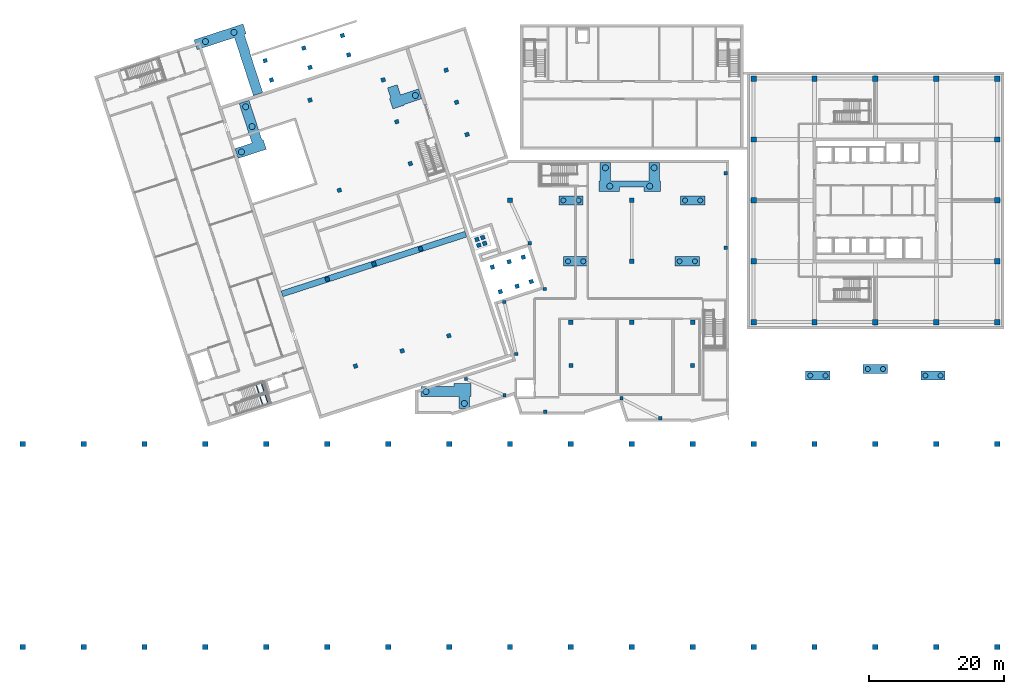
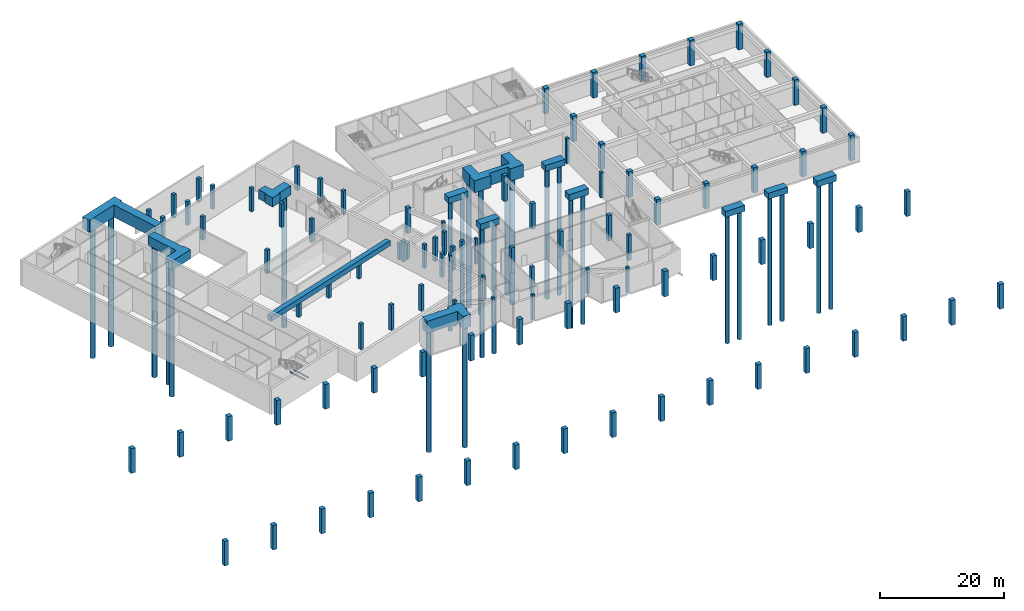
# One storey, part 1 of 15: 99 columns, 26 piles, 12 footings, 3 beams.
"""IFC4 building model written with IfcOpenShell, lengths in metres."""

from ifc_helpers import new_model, si_unit, direction, frame, origin, origin_2d, place, context, subcontext, project, spatial, polyline, rectangle, circle, i_section, outline, extrude, material, layer, layer_set, material_profile, profile_set, type_object, element, save


model = new_model("IFC4")

# Units and contexts
model_context = context("Model", 3, precision=1e-05, world=origin(), true_north=direction((0.0, 1.0)))
body_context = subcontext(model_context, "Body", "Model", "MODEL_VIEW")
ifc_project = project(units=[si_unit("LENGTHUNIT", "METRE"), si_unit("AREAUNIT", "SQUARE_METRE"), si_unit("VOLUMEUNIT", "CUBIC_METRE"), si_unit("PLANEANGLEUNIT", "RADIAN"), si_unit("MASSUNIT", "GRAM", prefix="KILO")], contexts=[model_context])

# Site, building, storey
site_placement = place(None, origin())
site = spatial("IfcSite", under=ifc_project, at=site_placement, CompositionType="ELEMENT")
building_placement = place(site_placement, origin())
building = spatial("IfcBuilding", under=site, at=building_placement, Name="Tuart Plaza Theatre", CompositionType="ELEMENT")
storey_placement = place(building_placement, frame((0.0, 0.0, -5.0)))
storey = spatial("IfcBuildingStorey", under=building, at=storey_placement, Name="B1", CompositionType="ELEMENT", Elevation=-5.0)

# Footings
ifc_material_1 = material(Name="Concrete N40 (40 MPa)", Category="concrete")
footing_type_1 = type_object("IfcFootingType", Name="CAP-2P-D750-3600X1350X1200", PredefinedType="PILE_CAP", material=ifc_material_1)
for number, where, z_axis, x_axis, name in (
    (1, (87.008056640625, 74.0, 3.4501953125), (0.0, 0.0, 1.0), (1.0, 0.0, 0.0), "D-CAP-047"),
    (2, (87.704345703125, 65.0, 3.4501953125), (0.0, 0.0, 1.0), (1.0, 0.0, 0.0), "D-CAP-048"),
    (3, (104.19580078125, 65.0, 3.4501953125), (0.0, 0.0, 1.0), (1.0, 0.0, 0.0), "D-CAP-056"),
    (4, (104.991943359375, 74.0, 3.4501953125), (0.0, 0.0, 1.0), (1.0, 0.0, 0.0), "D-CAP-057"),
    (5, (123.5, 48.101806640625, 3.64990234375), (0.0, 0.0, 1.0), (1.0, 0.0, 0.0), "D-CAP-074"),
    (6, (132.0, 49.085693359375, 3.64990234375), (0.0, 0.0, 1.0), (1.0, 0.0, 0.0), "D-CAP-077"),
    (7, (140.5, 48.101806640625, 3.64990234375), (0.0, 0.0, 1.0), (1.0, 0.0, 0.0), "D-CAP-080"),
):
    element("IfcFooting", number, at=place(storey_placement, frame(where, z_axis=z_axis, x_axis=x_axis)), inside=storey, type_object=footing_type_1, Name=name, PredefinedType="PILE_CAP", context=body_context, shape_type="SweptSolid", body=[
        extrude(rectangle(XDim=3.60009765625, YDim=1.35009765625, at=origin_2d()), origin(), (0.0, 0.0, 1.0), 1.199951171875),
    ])
ifc_material_2 = material(Name="Concrete N40 (40 MPa)", Category="concrete")
ifc_layer_1 = layer(ifc_material_2, 1.800048828125)
ifc_layer_set_1 = layer_set([ifc_layer_1], Name="CAP-STRIP-D900-T1800")
footing_type_2 = type_object("IfcFootingType", Name="CAP-STRIP-D900-T1800", PredefinedType="PILE_CAP", material=ifc_layer_set_1)
footing_1_placement = place(storey_placement, frame((0.0, 0.0, 2.800048828125)))
element("IfcFooting", 8, at=footing_1_placement, inside=storey, type_object=footing_type_2, Name="D-CAP-096", PredefinedType="PILE_CAP", context=body_context, shape_type="SweptSolid", body=[
    extrude(outline(polyline([(37.991455078125, 88.310791015625), (39.890380859375, 82.466552734375), (37.374755859375, 81.649169921875), (37.844482421875, 80.20361328125), (41.995849609375, 81.552490234375), (41.526123046875, 82.998046875), (41.3359375, 82.936279296875), (39.43701171875, 88.780517578125), (37.991455078125, 88.310791015625)])), origin(), (0.0, 0.0, 1.0), 1.800048828125),
])
footing_2_placement = place(storey_placement, frame((0.0, 0.0, 2.800048828125)))
element("IfcFooting", 9, at=footing_2_placement, inside=storey, type_object=footing_type_2, Name="D-CAP-103", PredefinedType="PILE_CAP", context=body_context, shape_type="SweptSolid", body=[
    extrude(outline(polyline([(60.700927734375, 87.50830078125), (62.374755859375, 88.05224609375), (62.339111328125, 88.162353515625), (64.958984375, 89.013671875), (64.489501953125, 90.459228515625), (61.831298828125, 89.595458984375), (61.347412109375, 91.084228515625), (59.90185546875, 90.614501953125), (60.385498046875, 89.125732421875), (60.1953125, 89.06396484375), (60.700927734375, 87.50830078125)])), origin(), (0.0, 0.0, 1.0), 1.800048828125),
])
ifc_material_3 = material(Name="Concrete N40 (40 MPa)", Category="concrete")
ifc_layer_2 = layer(ifc_material_3, 2.39990234375)
ifc_layer_set_2 = layer_set([ifc_layer_2], Name="CAP-STRIP-D900-T2400")
footing_type_3 = type_object("IfcFootingType", Name="CAP-STRIP-D900-T2400", PredefinedType="PILE_CAP", material=ifc_layer_set_2)
footing_3_placement = place(storey_placement, frame((0.0, 0.0, 2.60009765625)))
element("IfcFooting", 10, at=footing_3_placement, inside=storey, type_object=footing_type_3, Name="D-CAP-095", PredefinedType="PILE_CAP", context=body_context, shape_type="SweptSolid", body=[
    extrude(outline(polyline([(39.564697265625, 95.9921875), (38.740966796875, 98.52734375), (39.0263671875, 98.6201171875), (38.556640625, 100.065673828125), (31.3095703125, 97.7109375), (31.779296875, 96.265380859375), (37.29541015625, 98.0576171875), (40.081298828125, 89.48388671875), (41.4697265625, 89.93505859375), (39.5078125, 95.9736328125), (39.564697265625, 95.9921875)])), origin(), (0.0, 0.0, 1.0), 2.39990234375),
])
footing_4_placement = place(storey_placement, frame((0.0, 0.0, 2.25)))
element("IfcFooting", 11, at=footing_4_placement, inside=storey, type_object=footing_type_3, Name="D-CAP-105", PredefinedType="PILE_CAP", context=body_context, shape_type="SweptSolid", body=[
    extrude(outline(polyline([(69.699951171875, 46.510009765625), (64.842041015625, 46.510009765625), (64.842041015625, 44.989990234375), (70.489990234375, 44.989990234375), (70.489990234375, 43.247802734375), (72.010009765625, 43.247802734375), (72.010009765625, 44.989990234375), (72.2099609375, 44.989990234375), (72.2099609375, 46.925048828125), (69.699951171875, 46.925048828125), (69.699951171875, 46.510009765625)])), origin(), (0.0, 0.0, 1.0), 2.39990234375),
])
footing_5_placement = place(storey_placement, frame((0.0, 0.0, 2.25)))
element("IfcFooting", 12, at=footing_5_placement, inside=storey, type_object=footing_type_3, Name="D-CAP-111", PredefinedType="PILE_CAP", context=body_context, shape_type="SweptSolid", body=[
    extrude(outline(polyline([(91.139892578125, 76.860107421875), (91.139892578125, 75.340087890625), (94.199951171875, 75.340087890625), (94.199951171875, 75.974365234375), (97.800048828125, 75.974365234375), (97.800048828125, 75.340087890625), (100.260009765625, 75.340087890625), (100.260009765625, 76.860107421875), (100.06005859375, 76.860107421875), (100.06005859375, 79.56689453125), (98.5400390625, 79.56689453125), (98.5400390625, 76.860107421875), (92.860107421875, 76.860107421875), (92.860107421875, 79.56689453125), (91.340087890625, 79.56689453125), (91.340087890625, 76.860107421875), (91.139892578125, 76.860107421875)])), origin(), (0.0, 0.0, 1.0), 2.39990234375),
])

# Piles
ifc_material_4 = material(Name="Concrete N40 (40 MPa)", Category="concrete")
ifc_material_profile_1 = material_profile(ifc_material_4, circle(Radius=0.375, at=origin_2d()), Name="PILE-BORED-D750")
ifc_profile_set_1 = profile_set([ifc_material_profile_1], Name="Concrete N40 (40 MPa)")
pile_type_1 = type_object("IfcPileType", Name="PILE-BORED-D750", PredefinedType="BORED", material=ifc_profile_set_1)
for number, where, z_axis, x_axis, name in (
    (13, (85.883056640625, 74.0, 3.449951171875), (0.0, 0.0, -1.0), (1.0, 0.0, 0.0), "D-PIL-047-01"),
    (14, (88.133056640625, 74.0, 3.449951171875), (0.0, 0.0, -1.0), (1.0, 0.0, 0.0), "D-PIL-047-02"),
    (15, (86.579345703125, 65.0, 3.449951171875), (0.0, 0.0, -1.0), (1.0, 0.0, 0.0), "D-PIL-048-01"),
    (16, (88.829345703125, 65.0, 3.449951171875), (0.0, 0.0, -1.0), (1.0, 0.0, 0.0), "D-PIL-048-02"),
    (17, (103.07080078125, 65.0, 3.449951171875), (0.0, 0.0, -1.0), (1.0, 0.0, 0.0), "D-PIL-056-01"),
    (18, (105.32080078125, 65.0, 3.449951171875), (0.0, 0.0, -1.0), (1.0, 0.0, 0.0), "D-PIL-056-02"),
    (19, (103.866943359375, 74.0, 3.449951171875), (0.0, 0.0, -1.0), (1.0, 0.0, 0.0), "D-PIL-057-01"),
    (20, (106.116943359375, 74.0, 3.449951171875), (0.0, 0.0, -1.0), (1.0, 0.0, 0.0), "D-PIL-057-02"),
):
    element("IfcPile", number, at=place(storey_placement, frame(where, z_axis=z_axis, x_axis=x_axis)), inside=storey, type_object=pile_type_1, Name=name, PredefinedType="BORED", context=body_context, shape_type="SweptSolid", body=[
        extrude(circle(Radius=0.375, at=origin_2d()), origin(), (0.0, 0.0, 1.0), 25.449951171875),
    ])
for number, where, z_axis, x_axis, name in (
    (21, (122.375, 48.101806640625, 3.64990234375), (0.0, 0.0, -1.0), (1.0, 0.0, 0.0), "D-PIL-074-01"),
    (22, (124.625, 48.101806640625, 3.64990234375), (0.0, 0.0, -1.0), (1.0, 0.0, 0.0), "D-PIL-074-02"),
    (23, (130.875, 49.085693359375, 3.64990234375), (0.0, 0.0, -1.0), (1.0, 0.0, 0.0), "D-PIL-077-01"),
    (24, (133.125, 49.085693359375, 3.64990234375), (0.0, 0.0, -1.0), (1.0, 0.0, 0.0), "D-PIL-077-02"),
    (25, (139.375, 48.101806640625, 3.64990234375), (0.0, 0.0, -1.0), (1.0, 0.0, 0.0), "D-PIL-080-01"),
    (26, (141.625, 48.101806640625, 3.64990234375), (0.0, 0.0, -1.0), (1.0, 0.0, 0.0), "D-PIL-080-02"),
):
    element("IfcPile", number, at=place(storey_placement, frame(where, z_axis=z_axis, x_axis=x_axis)), inside=storey, type_object=pile_type_1, Name=name, PredefinedType="BORED", context=body_context, shape_type="SweptSolid", body=[
        extrude(circle(Radius=0.375, at=origin_2d()), origin(), (0.0, 0.0, 1.0), 25.14990234375),
    ])
ifc_material_5 = material(Name="Concrete N40 (40 MPa)", Category="concrete")
ifc_material_profile_2 = material_profile(ifc_material_5, circle(Radius=0.449951171875, at=origin_2d()), Name="PILE-BORED-D900")
ifc_profile_set_2 = profile_set([ifc_material_profile_2], Name="Concrete N40 (40 MPa)")
pile_type_2 = type_object("IfcPileType", Name="PILE-BORED-D900", PredefinedType="BORED", material=ifc_profile_set_2)
for number, where, z_axis, x_axis, name in (
    (27, (32.99951171875, 97.4609375, 2.60009765625), (0.0, 0.0, -1.0), (1.0, 0.0, 0.0), "D-PIL-095-01"),
    (28, (37.212646484375, 98.830078125, 2.60009765625), (0.0, 0.0, -1.0), (1.0, 0.0, 0.0), "D-PIL-095-02"),
):
    element("IfcPile", number, at=place(storey_placement, frame(where, z_axis=z_axis, x_axis=x_axis)), inside=storey, type_object=pile_type_2, Name=name, PredefinedType="BORED", context=body_context, shape_type="SweptSolid", body=[
        extrude(circle(Radius=0.449951171875, at=origin_2d()), origin(), (0.0, 0.0, 1.0), 25.60009765625),
    ])
pile_placement = place(storey_placement, frame((38.322998046875, 81.158203125, 2.800048828125), z_axis=(0.0, 0.0, -1.0), x_axis=(1.0, 0.0, 0.0)))
element("IfcPile", 29, at=pile_placement, inside=storey, type_object=pile_type_2, Name="D-PIL-096-01", PredefinedType="BORED", context=body_context, shape_type="SweptSolid", body=[
    extrude(circle(Radius=0.449951171875, at=origin_2d()), origin(), (0.0, 0.0, 1.0), 25.300048828125),
])
for number, where, z_axis, x_axis, name in (
    (30, (39.8994140625, 84.898193359375, 2.800048828125), (0.0, 0.0, -1.0), (1.0, 0.0, 0.0), "D-PIL-096-02"),
    (31, (38.946044921875, 87.832275390625, 2.800048828125), (0.0, 0.0, -1.0), (1.0, 0.0, 0.0), "D-PIL-096-03"),
    (32, (64.010986328125, 89.504638671875, 2.800048828125), (0.0, 0.0, -1.0), (1.0, 0.0, 0.0), "D-PIL-103-01"),
):
    element("IfcPile", number, at=place(storey_placement, frame(where, z_axis=z_axis, x_axis=x_axis)), inside=storey, type_object=pile_type_2, Name=name, PredefinedType="BORED", context=body_context, shape_type="SweptSolid", body=[
        extrude(circle(Radius=0.449951171875, at=origin_2d()), origin(), (0.0, 0.0, 1.0), 25.800048828125),
    ])
for number, where, z_axis, x_axis, name in (
    (33, (71.25, 43.997802734375, 2.25), (0.0, 0.0, -1.0), (1.0, 0.0, 0.0), "D-PIL-105-01"),
    (34, (65.592041015625, 45.75, 2.25), (0.0, 0.0, -1.0), (1.0, 0.0, 0.0), "D-PIL-105-02"),
):
    element("IfcPile", number, at=place(storey_placement, frame(where, z_axis=z_axis, x_axis=x_axis)), inside=storey, type_object=pile_type_2, Name=name, PredefinedType="BORED", context=body_context, shape_type="SweptSolid", body=[
        extrude(circle(Radius=0.449951171875, at=origin_2d()), origin(), (0.0, 0.0, 1.0), 23.75),
    ])
for number, where, z_axis, x_axis, name in (
    (35, (92.75, 76.10009765625, 2.25), (0.0, 0.0, -1.0), (1.0, 0.0, 0.0), "D-PIL-111-01"),
    (36, (98.64990234375, 76.10009765625, 2.25), (0.0, 0.0, -1.0), (1.0, 0.0, 0.0), "D-PIL-111-02"),
    (37, (92.10009765625, 78.81689453125, 2.25), (0.0, 0.0, -1.0), (1.0, 0.0, 0.0), "D-PIL-111-03"),
    (38, (99.300048828125, 78.81689453125, 2.25), (0.0, 0.0, -1.0), (1.0, 0.0, 0.0), "D-PIL-111-04"),
):
    element("IfcPile", number, at=place(storey_placement, frame(where, z_axis=z_axis, x_axis=x_axis)), inside=storey, type_object=pile_type_2, Name=name, PredefinedType="BORED", context=body_context, shape_type="SweptSolid", body=[
        extrude(circle(Radius=0.449951171875, at=origin_2d()), origin(), (0.0, 0.0, 1.0), 24.75),
    ])

# Columns
ifc_material_6 = material(Name="Concrete N50 (50 MPa)", Category="concrete")
ifc_material_profile_3 = material_profile(ifc_material_6, rectangle(XDim=0.5, YDim=0.5, at=origin_2d()), Name="COLUMN 500x500 Concrete N50 (50 MPa)")
ifc_profile_set_3 = profile_set([ifc_material_profile_3], Name="Concrete N50 (50 MPa)")
column_type_1 = type_object("IfcColumnType", Name="COLUMN 500x500 Concrete N50 (50 MPa)", PredefinedType="COLUMN", material=ifc_profile_set_3)
for number, where, z_axis, x_axis, name in (
    (39, (109.909912109375, 78.0, 0.0), (0.0, 0.0, 1.0), (1.0, 0.0, 0.0), "C37"),
    (40, (109.909912109375, 67.0, 0.0), (0.0, 0.0, 1.0), (1.0, 0.0, 0.0), "C38"),
    (41, (100.199951171875, 41.780029296875, 0.0), (0.0, 0.0, 1.0), (1.0, 0.0, 0.0), "C39"),
    (42, (94.47998046875, 44.75, 0.0), (0.0, 0.0, 1.0), (1.0, 0.0, 0.0), "C40"),
    (43, (83.199951171875, 42.780029296875, 0.0), (0.0, 0.0, 1.0), (1.0, 0.0, 0.0), "C41"),
    (44, (77.199951171875, 45.199951171875, 0.0), (0.0, 0.0, 1.0), (1.0, 0.0, 0.0), "C42"),
    (45, (71.5, 47.60009765625, 0.0), (0.0, 0.0, 1.0), (1.0, 0.0, 0.0), "C43"),
    (46, (78.89990234375, 51.300048828125, 0.0), (0.0, 0.0, 1.0), (1.0, 0.0, 0.0), "C44"),
    (47, (77.181640625, 58.9853515625, 0.0), (0.0, 0.0, 1.0), (1.0, 0.0, 0.0), "C45"),
    (48, (83.1298828125, 60.909912109375, 0.0), (0.0, 0.0, 1.0), (1.0, 0.0, 0.0), "C46"),
    (49, (80.929931640625, 67.659912109375, 0.0), (0.0, 0.0, 1.0), (1.0, 0.0, 0.0), "C47"),
):
    element("IfcColumn", number, at=place(storey_placement, frame(where, z_axis=z_axis, x_axis=x_axis)), inside=storey, type_object=column_type_1, Name=name, PredefinedType="COLUMN", context=body_context, shape_type="SweptSolid", body=[
        extrude(rectangle(XDim=0.5, YDim=0.5, at=origin_2d()), origin(), (0.0, 0.0, 1.0), 5.0),
    ])
ifc_material_7 = material(Name="Concrete N50 (50 MPa)", Category="concrete")
ifc_material_profile_4 = material_profile(ifc_material_7, rectangle(XDim=0.60009765625, YDim=0.60009765625, at=origin_2d()), Name="COLUMN 600x600 Concrete N50 (50 MPa)")
ifc_profile_set_4 = profile_set([ifc_material_profile_4], Name="Concrete N50 (50 MPa)")
column_type_2 = type_object("IfcColumnType", Name="COLUMN 600x600 Concrete N50 (50 MPa)", PredefinedType="COLUMN", material=ifc_profile_set_4)
for number, where, z_axis, x_axis, name in (
    (50, (61.27294921875, 85.618408203125, 0.0), (0.0, 0.0, 1.0), (0.951056516295, 0.309016994375, 0.0), "C1"),
    (51, (63.281494140625, 79.4365234375, 0.0), (0.0, 0.0, 1.0), (0.951056516295, 0.309016994375, 0.0), "C2"),
    (52, (59.264404296875, 91.80029296875, 0.0), (0.0, 0.0, 1.0), (0.951056516295, 0.309016994375, 0.0), "C3"),
    (53, (52.7841796875, 75.5, 0.0), (0.0, 0.0, 1.0), (0.951056516295, 0.309016994375, 0.0), "C4"),
    (54, (48.4580078125, 88.814697265625, 0.0), (0.0, 0.0, 1.0), (0.951056516295, 0.309016994375, 0.0), "C5"),
    (55, (71.662841796875, 83.73681640625, 0.0), (0.0, 0.0, 1.0), (0.951056516295, 0.309016994375, 0.0), "C6"),
    (56, (70.11767578125, 88.4921875, 0.0), (0.0, 0.0, 1.0), (0.951056516295, 0.309016994375, 0.0), "C7"),
    (57, (68.57275390625, 93.24755859375, 0.0), (0.0, 0.0, 1.0), (0.951056516295, 0.309016994375, 0.0), "C8"),
    (58, (42.7568359375, 91.799072265625, 0.0), (0.0, 0.0, 1.0), (0.951056516295, 0.309016994375, 0.0), "C9"),
    (59, (48.463134765625, 93.653076171875, 0.0), (0.0, 0.0, 1.0), (0.951056516295, 0.309016994375, 0.0), "C10"),
    (60, (54.16943359375, 95.50732421875, 0.0), (0.0, 0.0, 1.0), (0.951056516295, 0.309016994375, 0.0), "C11"),
    (61, (41.82958984375, 94.652099609375, 0.0), (0.0, 0.0, 1.0), (0.951056516295, 0.309016994375, 0.0), "C12"),
    (62, (47.5361328125, 96.50634765625, 0.0), (0.0, 0.0, 1.0), (0.951056516295, 0.309016994375, 0.0), "C13"),
    (63, (53.242431640625, 98.3603515625, 0.0), (0.0, 0.0, 1.0), (0.951056516295, 0.309016994375, 0.0), "C14"),
    (64, (76.577880859375, 60.51953125, 0.0), (0.0, 0.0, 1.0), (0.951056516295, 0.309016994375, 0.0), "C15"),
    (65, (79.05078125, 61.322998046875, 0.0), (0.0, 0.0, 1.0), (0.951056516295, 0.309016994375, 0.0), "C16"),
    (66, (81.14306640625, 62.002685546875, 0.0), (0.0, 0.0, 1.0), (0.951056516295, 0.309016994375, 0.0), "C17"),
    (67, (75.40380859375, 64.133544921875, 0.0), (0.0, 0.0, 1.0), (0.951056516295, 0.309016994375, 0.0), "C18"),
    (68, (77.87646484375, 64.93701171875, 0.0), (0.0, 0.0, 1.0), (0.951056516295, 0.309016994375, 0.0), "C19"),
    (69, (79.96875, 65.61669921875, 0.0), (0.0, 0.0, 1.0), (0.951056516295, 0.309016994375, 0.0), "C20"),
):
    element("IfcColumn", number, at=place(storey_placement, frame(where, z_axis=z_axis, x_axis=x_axis)), inside=storey, type_object=column_type_2, Name=name, PredefinedType="COLUMN", context=body_context, shape_type="SweptSolid", body=[
        extrude(rectangle(XDim=0.60009765625, YDim=0.60009765625, at=origin_2d()), origin(), (0.0, 0.0, 1.0), 4.60009765625),
    ])
for number, where, z_axis, x_axis, name in (
    (70, (73.404296875, 67.374267578125, 0.0), (0.0, 0.0, 1.0), (0.951056516295, 0.309016994375, 0.0), "C21"),
    (71, (74.26025390625, 67.65234375, 0.0), (0.0, 0.0, 1.0), (0.951056516295, 0.309016994375, 0.0), "C22"),
    (72, (73.126220703125, 68.230224609375, 0.0), (0.0, 0.0, 1.0), (0.951056516295, 0.309016994375, 0.0), "C23"),
    (73, (73.982177734375, 68.50830078125, 0.0), (0.0, 0.0, 1.0), (0.951056516295, 0.309016994375, 0.0), "C24"),
):
    element("IfcColumn", number, at=place(storey_placement, frame(where, z_axis=z_axis, x_axis=x_axis)), inside=storey, type_object=column_type_2, Name=name, PredefinedType="COLUMN", context=body_context, shape_type="SweptSolid", body=[
        extrude(rectangle(XDim=0.60009765625, YDim=0.60009765625, at=origin_2d()), origin(), (0.0, 0.0, 1.0), 3.199951171875),
    ])
for number, where, z_axis, x_axis, name in (
    (74, (55.18017578125, 49.518798828125, 0.0), (0.0, 0.0, 1.0), (0.951056516295, 0.309016994375, 0.0), "C25"),
    (75, (62.0751953125, 51.759033203125, 0.0), (0.0, 0.0, 1.0), (0.951056516295, 0.309016994375, 0.0), "C26"),
    (76, (68.970458984375, 53.99951171875, 0.0), (0.0, 0.0, 1.0), (0.951056516295, 0.309016994375, 0.0), "C27"),
):
    element("IfcColumn", number, at=place(storey_placement, frame(where, z_axis=z_axis, x_axis=x_axis)), inside=storey, type_object=column_type_2, Name=name, PredefinedType="COLUMN", context=body_context, shape_type="SweptSolid", body=[
        extrude(rectangle(XDim=0.60009765625, YDim=0.60009765625, at=origin_2d()), origin(), (0.0, 0.0, 1.0), 5.0),
    ])
for number, where, z_axis, x_axis, name in (
    (77, (51.00830078125, 62.35791015625, 0.0), (0.0, 0.0, 1.0), (0.951056516295, 0.309016994375, 0.0), "C28"),
    (78, (57.903564453125, 64.598388671875, 0.0), (0.0, 0.0, 1.0), (0.951056516295, 0.309016994375, 0.0), "C29"),
    (79, (64.798583984375, 66.8388671875, 0.0), (0.0, 0.0, 1.0), (0.951056516295, 0.309016994375, 0.0), "C30"),
):
    element("IfcColumn", number, at=place(storey_placement, frame(where, z_axis=z_axis, x_axis=x_axis)), inside=storey, type_object=column_type_2, Name=name, PredefinedType="COLUMN", context=body_context, shape_type="SweptSolid", body=[
        extrude(rectangle(XDim=0.60009765625, YDim=0.60009765625, at=origin_2d()), origin(), (0.0, 0.0, 1.0), 2.844970703125),
    ])
for number, where, z_axis, x_axis, name in (
    (80, (87.0, 49.60009765625, 0.0), (0.0, 0.0, 1.0), (1.0, 0.0, 0.0), "C48"),
    (81, (105.0, 49.60009765625, 0.0), (0.0, 0.0, 1.0), (1.0, 0.0, 0.0), "C49"),
):
    element("IfcColumn", number, at=place(storey_placement, frame(where, z_axis=z_axis, x_axis=x_axis)), inside=storey, type_object=column_type_2, Name=name, PredefinedType="COLUMN", context=body_context, shape_type="SweptSolid", body=[
        extrude(rectangle(XDim=0.60009765625, YDim=0.60009765625, at=origin_2d()), origin(), (0.0, 0.0, 1.0), 5.0),
    ])
ifc_material_8 = material(Name="Concrete N50 (50 MPa)", Category="concrete")
ifc_material_profile_5 = material_profile(ifc_material_8, rectangle(XDim=0.699951171875, YDim=0.699951171875, at=origin_2d()), Name="COLUMN 700x700 Concrete N50 (50 MPa)")
ifc_profile_set_5 = profile_set([ifc_material_profile_5], Name="Concrete N50 (50 MPa)")
column_type_3 = type_object("IfcColumnType", Name="COLUMN 700x700 Concrete N50 (50 MPa)", PredefinedType="COLUMN", material=ifc_profile_set_5)
for number, where, z_axis, x_axis, name in (
    (82, (78.0, 74.0, 0.0), (0.0, 0.0, 1.0), (1.0, 0.0, 0.0), "C31"),
    (83, (87.0, 56.0, 0.0), (0.0, 0.0, 1.0), (1.0, 0.0, 0.0), "C32"),
    (84, (96.0, 56.0, 0.0), (0.0, 0.0, 1.0), (1.0, 0.0, 0.0), "C33"),
    (85, (96.0, 65.0, 0.0), (0.0, 0.0, 1.0), (1.0, 0.0, 0.0), "C34"),
    (86, (96.0, 74.0, 0.0), (0.0, 0.0, 1.0), (1.0, 0.0, 0.0), "C35"),
    (87, (105.0, 56.0, 0.0), (0.0, 0.0, 1.0), (1.0, 0.0, 0.0), "C36"),
):
    element("IfcColumn", number, at=place(storey_placement, frame(where, z_axis=z_axis, x_axis=x_axis)), inside=storey, type_object=column_type_3, Name=name, PredefinedType="COLUMN", context=body_context, shape_type="SweptSolid", body=[
        extrude(rectangle(XDim=0.699951171875, YDim=0.699951171875, at=origin_2d()), origin(), (0.0, 0.0, 1.0), 5.0),
    ])
ifc_material_9 = material(Name="Concrete N50 (50 MPa)", Category="concrete")
ifc_material_profile_6 = material_profile(ifc_material_9, rectangle(XDim=0.800048828125, YDim=0.800048828125, at=origin_2d()), Name="COLUMN 800x800 Concrete N50 (50 MPa)")
ifc_profile_set_6 = profile_set([ifc_material_profile_6], Name="Concrete N50 (50 MPa)")
column_type_4 = type_object("IfcColumnType", Name="COLUMN 800x800 Concrete N50 (50 MPa)", PredefinedType="COLUMN", material=ifc_profile_set_6)
for number, where, z_axis, x_axis, name in (
    (88, (114.0, 56.0, 0.0), (0.0, 0.0, 1.0), (1.0, 0.0, 0.0), "C50"),
    (89, (114.0, 65.0, 0.0), (0.0, 0.0, 1.0), (1.0, 0.0, 0.0), "C51"),
    (90, (114.0, 74.0, 0.0), (0.0, 0.0, 1.0), (1.0, 0.0, 0.0), "C52"),
    (91, (114.0, 83.0, 0.0), (0.0, 0.0, 1.0), (1.0, 0.0, 0.0), "C53"),
    (92, (114.0, 92.0, 0.0), (0.0, 0.0, 1.0), (1.0, 0.0, 0.0), "C54"),
    (93, (123.0, 56.0, 0.0), (0.0, 0.0, 1.0), (1.0, 0.0, 0.0), "C55"),
    (94, (123.0, 92.0, 0.0), (0.0, 0.0, 1.0), (1.0, 0.0, 0.0), "C56"),
    (95, (132.0, 56.0, 0.0), (0.0, 0.0, 1.0), (1.0, 0.0, 0.0), "C57"),
    (96, (132.0, 92.0, 0.0), (0.0, 0.0, 1.0), (1.0, 0.0, 0.0), "C58"),
    (97, (141.0, 56.0, 0.0), (0.0, 0.0, 1.0), (1.0, 0.0, 0.0), "C59"),
    (98, (141.0, 92.0, 0.0), (0.0, 0.0, 1.0), (1.0, 0.0, 0.0), "C60"),
    (99, (150.0, 56.0, 0.0), (0.0, 0.0, 1.0), (1.0, 0.0, 0.0), "C61"),
    (100, (150.0, 65.0, 0.0), (0.0, 0.0, 1.0), (1.0, 0.0, 0.0), "C62"),
    (101, (150.0, 74.0, 0.0), (0.0, 0.0, 1.0), (1.0, 0.0, 0.0), "C63"),
    (102, (150.0, 83.0, 0.0), (0.0, 0.0, 1.0), (1.0, 0.0, 0.0), "C64"),
    (103, (150.0, 92.0, 0.0), (0.0, 0.0, 1.0), (1.0, 0.0, 0.0), "C65"),
):
    element("IfcColumn", number, at=place(storey_placement, frame(where, z_axis=z_axis, x_axis=x_axis)), inside=storey, type_object=column_type_4, Name=name, PredefinedType="COLUMN", context=body_context, shape_type="SweptSolid", body=[
        extrude(rectangle(XDim=0.800048828125, YDim=0.800048828125, at=origin_2d()), origin(), (0.0, 0.0, 1.0), 5.0),
    ])
for number, where, z_axis, x_axis, name in (
    (104, (6.0, 8.0, 0.0), (0.0, 0.0, 1.0), (1.0, 0.0, 0.0), "C106"),
    (105, (6.0, 38.0, 0.0), (0.0, 0.0, 1.0), (1.0, 0.0, 0.0), "C107"),
    (106, (15.0, 8.0, 0.0), (0.0, 0.0, 1.0), (1.0, 0.0, 0.0), "C108"),
    (107, (15.0, 38.0, 0.0), (0.0, 0.0, 1.0), (1.0, 0.0, 0.0), "C109"),
    (108, (24.0, 8.0, 0.0), (0.0, 0.0, 1.0), (1.0, 0.0, 0.0), "C110"),
    (109, (24.0, 38.0, 0.0), (0.0, 0.0, 1.0), (1.0, 0.0, 0.0), "C111"),
    (110, (33.0, 8.0, 0.0), (0.0, 0.0, 1.0), (1.0, 0.0, 0.0), "C112"),
    (111, (33.0, 38.0, 0.0), (0.0, 0.0, 1.0), (1.0, 0.0, 0.0), "C113"),
    (112, (42.0, 8.0, 0.0), (0.0, 0.0, 1.0), (1.0, 0.0, 0.0), "C114"),
    (113, (42.0, 38.0, 0.0), (0.0, 0.0, 1.0), (1.0, 0.0, 0.0), "C115"),
    (114, (51.0, 8.0, 0.0), (0.0, 0.0, 1.0), (1.0, 0.0, 0.0), "C116"),
    (115, (51.0, 38.0, 0.0), (0.0, 0.0, 1.0), (1.0, 0.0, 0.0), "C117"),
    (116, (60.0, 8.0, 0.0), (0.0, 0.0, 1.0), (1.0, 0.0, 0.0), "C118"),
    (117, (60.0, 38.0, 0.0), (0.0, 0.0, 1.0), (1.0, 0.0, 0.0), "C119"),
    (118, (69.0, 8.0, 0.0), (0.0, 0.0, 1.0), (1.0, 0.0, 0.0), "C120"),
):
    element("IfcColumn", number, at=place(storey_placement, frame(where, z_axis=z_axis, x_axis=x_axis)), inside=storey, type_object=column_type_4, Name=name, PredefinedType="COLUMN", context=body_context, shape_type="SweptSolid", body=[
        extrude(rectangle(XDim=0.800048828125, YDim=0.800048828125, at=origin_2d()), origin(), (0.0, 0.0, 1.0), 4.85009765625),
    ])
column_1_placement = place(storey_placement, frame((69.0, 38.0, 0.0), z_axis=(0.0, 0.0, 1.0), x_axis=(1.0, 0.0, 0.0)))
element("IfcColumn", 119, at=column_1_placement, inside=storey, type_object=column_type_4, Name="C121", PredefinedType="COLUMN", context=body_context, shape_type="SweptSolid", body=[
    extrude(rectangle(XDim=0.800048828125, YDim=0.800048828125, at=origin_2d()), origin(), (0.0, 0.0, 1.0), 5.0),
])
column_2_placement = place(storey_placement, frame((78.0, 8.0, 0.0), z_axis=(0.0, 0.0, 1.0), x_axis=(1.0, 0.0, 0.0)))
element("IfcColumn", 120, at=column_2_placement, inside=storey, type_object=column_type_4, Name="C122", PredefinedType="COLUMN", context=body_context, shape_type="SweptSolid", body=[
    extrude(rectangle(XDim=0.800048828125, YDim=0.800048828125, at=origin_2d()), origin(), (0.0, 0.0, 1.0), 4.85009765625),
])
column_3_placement = place(storey_placement, frame((78.0, 38.0, 0.0), z_axis=(0.0, 0.0, 1.0), x_axis=(1.0, 0.0, 0.0)))
element("IfcColumn", 121, at=column_3_placement, inside=storey, type_object=column_type_4, Name="C123", PredefinedType="COLUMN", context=body_context, shape_type="SweptSolid", body=[
    extrude(rectangle(XDim=0.800048828125, YDim=0.800048828125, at=origin_2d()), origin(), (0.0, 0.0, 1.0), 5.0),
])
column_4_placement = place(storey_placement, frame((87.0, 8.0, 0.0), z_axis=(0.0, 0.0, 1.0), x_axis=(1.0, 0.0, 0.0)))
element("IfcColumn", 122, at=column_4_placement, inside=storey, type_object=column_type_4, Name="C124", PredefinedType="COLUMN", context=body_context, shape_type="SweptSolid", body=[
    extrude(rectangle(XDim=0.800048828125, YDim=0.800048828125, at=origin_2d()), origin(), (0.0, 0.0, 1.0), 4.85009765625),
])
column_5_placement = place(storey_placement, frame((87.0, 38.0, 0.0), z_axis=(0.0, 0.0, 1.0), x_axis=(1.0, 0.0, 0.0)))
element("IfcColumn", 123, at=column_5_placement, inside=storey, type_object=column_type_4, Name="C125", PredefinedType="COLUMN", context=body_context, shape_type="SweptSolid", body=[
    extrude(rectangle(XDim=0.800048828125, YDim=0.800048828125, at=origin_2d()), origin(), (0.0, 0.0, 1.0), 5.0),
])
for number, where, z_axis, x_axis, name in (
    (124, (96.0, 8.0, 0.0), (0.0, 0.0, 1.0), (1.0, 0.0, 0.0), "C126"),
    (125, (96.0, 38.0, 0.0), (0.0, 0.0, 1.0), (1.0, 0.0, 0.0), "C127"),
    (126, (105.0, 8.0, 0.0), (0.0, 0.0, 1.0), (1.0, 0.0, 0.0), "C128"),
):
    element("IfcColumn", number, at=place(storey_placement, frame(where, z_axis=z_axis, x_axis=x_axis)), inside=storey, type_object=column_type_4, Name=name, PredefinedType="COLUMN", context=body_context, shape_type="SweptSolid", body=[
        extrude(rectangle(XDim=0.800048828125, YDim=0.800048828125, at=origin_2d()), origin(), (0.0, 0.0, 1.0), 4.85009765625),
    ])
column_6_placement = place(storey_placement, frame((105.0, 38.0, 0.0), z_axis=(0.0, 0.0, 1.0), x_axis=(1.0, 0.0, 0.0)))
element("IfcColumn", 127, at=column_6_placement, inside=storey, type_object=column_type_4, Name="C129", PredefinedType="COLUMN", context=body_context, shape_type="SweptSolid", body=[
    extrude(rectangle(XDim=0.800048828125, YDim=0.800048828125, at=origin_2d()), origin(), (0.0, 0.0, 1.0), 5.0),
])
for number, where, z_axis, x_axis, name in (
    (128, (114.0, 8.0, 0.0), (0.0, 0.0, 1.0), (1.0, 0.0, 0.0), "C130"),
    (129, (114.0, 38.0, 0.0), (0.0, 0.0, 1.0), (1.0, 0.0, 0.0), "C131"),
    (130, (123.0, 8.0, 0.0), (0.0, 0.0, 1.0), (1.0, 0.0, 0.0), "C132"),
    (131, (123.0, 38.0, 0.0), (0.0, 0.0, 1.0), (1.0, 0.0, 0.0), "C133"),
    (132, (132.0, 8.0, 0.0), (0.0, 0.0, 1.0), (1.0, 0.0, 0.0), "C134"),
    (133, (132.0, 38.0, 0.0), (0.0, 0.0, 1.0), (1.0, 0.0, 0.0), "C135"),
    (134, (141.0, 8.0, 0.0), (0.0, 0.0, 1.0), (1.0, 0.0, 0.0), "C136"),
    (135, (141.0, 38.0, 0.0), (0.0, 0.0, 1.0), (1.0, 0.0, 0.0), "C137"),
    (136, (150.0, 8.0, 0.0), (0.0, 0.0, 1.0), (1.0, 0.0, 0.0), "C138"),
    (137, (150.0, 38.0, 0.0), (0.0, 0.0, 1.0), (1.0, 0.0, 0.0), "C139"),
):
    element("IfcColumn", number, at=place(storey_placement, frame(where, z_axis=z_axis, x_axis=x_axis)), inside=storey, type_object=column_type_4, Name=name, PredefinedType="COLUMN", context=body_context, shape_type="SweptSolid", body=[
        extrude(rectangle(XDim=0.800048828125, YDim=0.800048828125, at=origin_2d()), origin(), (0.0, 0.0, 1.0), 4.85009765625),
    ])

# Beams
ifc_material_10 = material(Name="Steel Grade 300", Category="steel")
ifc_material_profile_7 = material_profile(ifc_material_10, i_section(OverallWidth=0.14599609375, OverallDepth=0.256103515625, WebThickness=0.00634765625, FlangeThickness=0.010986328125, FilletRadius=0.0087890625, at=origin_2d()), Name="250UB37.3")
ifc_profile_set_7 = profile_set([ifc_material_profile_7], Name="Steel Grade 300")
beam_type_1 = type_object("IfcBeamType", Name="BEAM 250UB37.3", PredefinedType="BEAM", material=ifc_profile_set_7)
for number, where, z_axis, x_axis, name in (
    (138, (41.240234375, 47.09228515625, 2.172119140625), (0.309003676349, -0.951060843481, 0.0), (0.951060843481, 0.309003676349, 0.0), "SB3"),
    (139, (40.465087890625, 46.84033203125, 2.172119140625), (0.309003676349, -0.951060843481, 0.0), (0.951060843481, 0.309003676349, 0.0), "SB4"),
):
    element("IfcBeam", number, at=place(storey_placement, frame(where, z_axis=z_axis, x_axis=x_axis)), inside=storey, type_object=beam_type_1, Name=name, PredefinedType="BEAM", context=body_context, shape_type="SweptSolid", body=[
        extrude(i_section(OverallWidth=0.14599609375, OverallDepth=0.256103515625, WebThickness=0.00634765625, FlangeThickness=0.010986328125, FilletRadius=0.0087890625, at=origin_2d()), origin(), (0.0, 0.0, 1.0), 3.35009765625),
    ])
ifc_material_11 = material(Name="Concrete N50 (50 MPa)", Category="concrete")
ifc_material_profile_8 = material_profile(ifc_material_11, rectangle(XDim=0.89990234375, YDim=1.0, at=origin_2d()), Name="BEAM 900x1000 Concrete N50 (50 MPa)")
ifc_profile_set_8 = profile_set([ifc_material_profile_8], Name="Concrete N50 (50 MPa)")
beam_type_2 = type_object("IfcBeamType", Name="BEAM 900x1000 Concrete N50 (50 MPa)", PredefinedType="BEAM", material=ifc_profile_set_8)
beam_placement = place(storey_placement, frame((44.3271484375, 60.187255859375, 3.344970703125), z_axis=(0.951058825303, 0.309009887888, 0.0), x_axis=(-0.309009887888, 0.951058825303, 0.0)))
element("IfcBeam", 140, at=beam_placement, inside=storey, type_object=beam_type_2, Name="RB4", PredefinedType="BEAM", context=body_context, shape_type="SweptSolid", body=[
    extrude(rectangle(XDim=0.89990234375, YDim=1.0, at=origin_2d()), origin(), (0.0, 0.0, 1.0), 28.550048828125),
])

save(model, "model.ifc")
